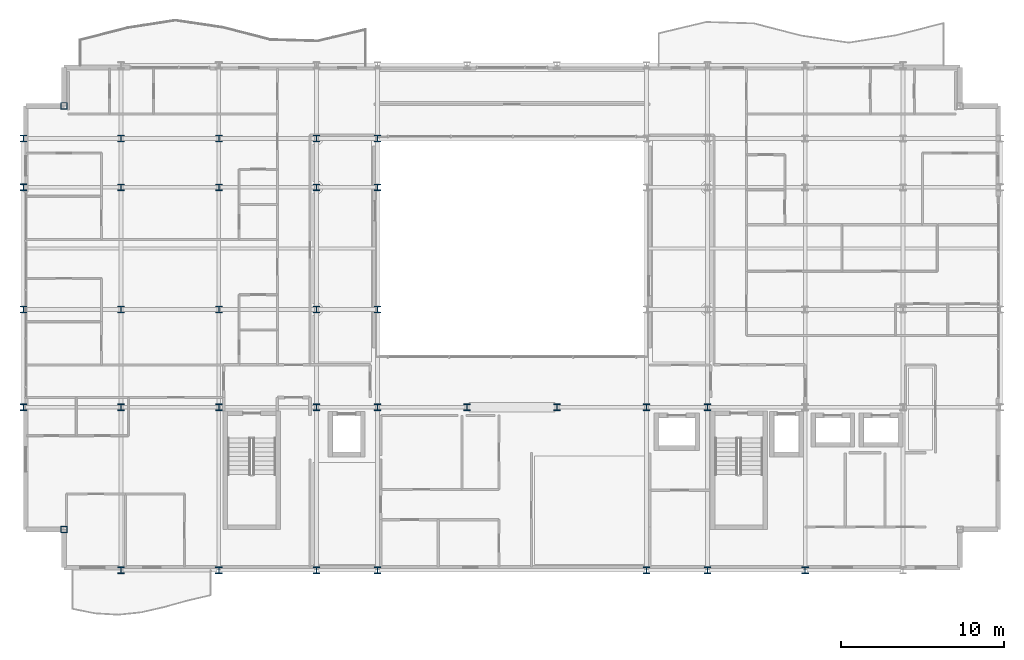
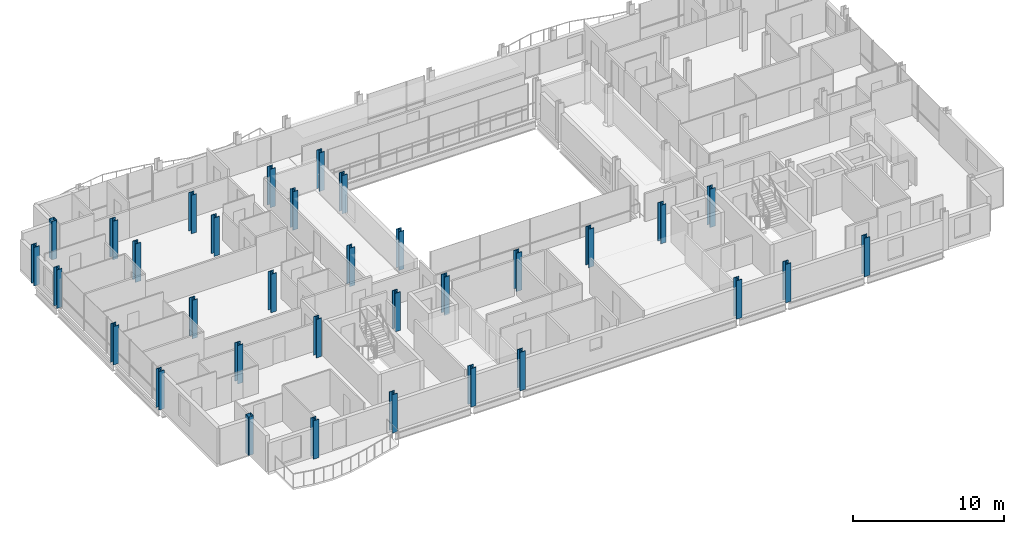
# One storey, part 1 of 41: 33 columns.
"""IFC4 building model written with IfcOpenShell, lengths in metres."""

from ifc_helpers import new_model, si_unit, direction, frame, origin, origin_2d, place, context, subcontext, project, spatial, hollow_rectangle, i_section, extrude, material, material_profile, profile_set, type_object, element, save


model = new_model("IFC4")

# Units and contexts
model_context = context("Model", 3, precision=1e-05, world=origin(), true_north=direction((0.0, 1.0)))
body_context = subcontext(model_context, "Body", "Model", "MODEL_VIEW")
ifc_project = project(units=[si_unit("LENGTHUNIT", "METRE"), si_unit("AREAUNIT", "SQUARE_METRE"), si_unit("VOLUMEUNIT", "CUBIC_METRE"), si_unit("PLANEANGLEUNIT", "RADIAN"), si_unit("MASSUNIT", "GRAM", prefix="KILO")], contexts=[model_context])

# Site, building, storey
site_placement = place(None, origin())
site = spatial("IfcSite", under=ifc_project, at=site_placement, CompositionType="ELEMENT")
building_placement = place(site_placement, origin())
building = spatial("IfcBuilding", under=site, at=building_placement, Name="Brevholm Reach", CompositionType="ELEMENT")
storey_placement = place(building_placement, frame((0.0, 0.0, 144.89990234375)))
storey = spatial("IfcBuildingStorey", under=building, at=storey_placement, Name="L43", CompositionType="ELEMENT", Elevation=144.89990234375)

# Columns
ifc_material_1 = material(Name="Structural Steel S460NH", Category="steel")
ifc_material_profile_1 = material_profile(ifc_material_1, hollow_rectangle(XDim=0.39990234375, YDim=0.39990234375, WallThickness=0.02001953125, InnerFilletRadius=0.011962890625, OuterFilletRadius=0.02392578125, at=origin_2d()), Name="SHS 400x400x20")
ifc_profile_set_1 = profile_set([ifc_material_profile_1], Name="Structural Steel S460NH")
column_type_1 = type_object("IfcColumnType", Name="COL-SHS2", PredefinedType="COLUMN", material=ifc_profile_set_1)
for number, where, z_axis, x_axis, name in (
    (1, (2.5, 2.5, 0.0), (0.0, 0.0, 1.0), (1.0, 0.0, 0.0), "L43 Column 05"),
    (2, (2.5, 28.5, 0.0), (0.0, 0.0, 1.0), (1.0, 0.0, 0.0), "L43 Column 06"),
):
    element("IfcColumn", number, at=place(storey_placement, frame(where, z_axis=z_axis, x_axis=x_axis)), inside=storey, type_object=column_type_1, Name=name, PredefinedType="COLUMN", context=body_context, shape_type="SweptSolid", body=[
        extrude(hollow_rectangle(XDim=0.39990234375, YDim=0.39990234375, WallThickness=0.02001953125, InnerFilletRadius=0.011962890625, OuterFilletRadius=0.02392578125, at=origin_2d()), origin(), (0.0, 0.0, 1.0), 3.10009765625),
    ])
ifc_material_2 = material(Name="Structural Steel S355J2", Category="steel")
ifc_material_profile_2 = material_profile(ifc_material_2, i_section(OverallWidth=0.406982421875, OverallDepth=0.4189453125, WebThickness=0.030517578125, FlangeThickness=0.04931640625, FilletRadius=0.01513671875, at=origin_2d()), Name="UKC 356x406x393")
ifc_profile_set_2 = profile_set([ifc_material_profile_2], Name="Structural Steel S355J2")
column_type_2 = type_object("IfcColumnType", Name="COL-UC4", PredefinedType="COLUMN", material=ifc_profile_set_2)
for number, where, z_axis, x_axis, name in (
    (3, (0.0, 10.0, 0.0), (0.0, 0.0, 1.0), (1.0, 0.0, 0.0), "L43 Column 01"),
    (4, (0.0, 16.0, 0.0), (0.0, 0.0, 1.0), (1.0, 0.0, 0.0), "L43 Column 02"),
    (5, (0.0, 23.5, 0.0), (0.0, 0.0, 1.0), (1.0, 0.0, 0.0), "L43 Column 03"),
    (6, (0.0, 26.5, 0.0), (0.0, 0.0, 1.0), (1.0, 0.0, 0.0), "L43 Column 04"),
    (7, (6.0, 0.0, 0.0), (0.0, 0.0, 1.0), (1.0, 0.0, 0.0), "L43 Column 07"),
    (8, (12.0, 0.0, 0.0), (0.0, 0.0, 1.0), (1.0, 0.0, 0.0), "L43 Column 13"),
    (9, (18.0, 0.0, 0.0), (0.0, 0.0, 1.0), (1.0, 0.0, 0.0), "L43 Column 19"),
    (10, (21.75, 0.0, 0.0), (0.0, 0.0, 1.0), (1.0, 0.0, 0.0), "L43 Column 25"),
    (11, (38.25, 0.0, 0.0), (0.0, 0.0, 1.0), (1.0, 0.0, 0.0), "L43 Column 35"),
    (12, (42.0, 0.0, 0.0), (0.0, 0.0, 1.0), (1.0, 0.0, 0.0), "L43 Column 41"),
    (13, (48.0, 0.0, 0.0), (0.0, 0.0, 1.0), (1.0, 0.0, 0.0), "L43 Column 47"),
):
    element("IfcColumn", number, at=place(storey_placement, frame(where, z_axis=z_axis, x_axis=x_axis)), inside=storey, type_object=column_type_2, Name=name, PredefinedType="COLUMN", context=body_context, shape_type="SweptSolid", body=[
        extrude(i_section(OverallWidth=0.406982421875, OverallDepth=0.4189453125, WebThickness=0.030517578125, FlangeThickness=0.04931640625, FilletRadius=0.01513671875, at=origin_2d()), origin(), (0.0, 0.0, 1.0), 3.10009765625),
    ])
ifc_material_3 = material(Name="Structural Steel S355J2", Category="steel")
ifc_material_profile_3 = material_profile(ifc_material_3, i_section(OverallWidth=0.403076171875, OverallDepth=0.406494140625, WebThickness=0.026611328125, FlangeThickness=0.04296875, FilletRadius=0.01513671875, at=origin_2d()), Name="UKC 356x406x340")
ifc_profile_set_3 = profile_set([ifc_material_profile_3], Name="Structural Steel S355J2")
column_type_3 = type_object("IfcColumnType", Name="COL-UC5", PredefinedType="COLUMN", material=ifc_profile_set_3)
for number, where, z_axis, x_axis, name in (
    (14, (6.0, 10.0, 0.0), (0.0, 0.0, 1.0), (1.0, 0.0, 0.0), "L43 Column 08"),
    (15, (6.0, 16.0, 0.0), (0.0, 0.0, 1.0), (1.0, 0.0, 0.0), "L43 Column 09"),
    (16, (6.0, 23.5, 0.0), (0.0, 0.0, 1.0), (1.0, 0.0, 0.0), "L43 Column 10"),
    (17, (6.0, 26.5, 0.0), (0.0, 0.0, 1.0), (1.0, 0.0, 0.0), "L43 Column 11"),
    (18, (12.0, 10.0, 0.0), (0.0, 0.0, 1.0), (1.0, 0.0, 0.0), "L43 Column 14"),
    (19, (12.0, 16.0, 0.0), (0.0, 0.0, 1.0), (1.0, 0.0, 0.0), "L43 Column 15"),
    (20, (12.0, 23.5, 0.0), (0.0, 0.0, 1.0), (1.0, 0.0, 0.0), "L43 Column 16"),
    (21, (12.0, 26.5, 0.0), (0.0, 0.0, 1.0), (1.0, 0.0, 0.0), "L43 Column 17"),
    (22, (18.0, 10.0, 0.0), (0.0, 0.0, 1.0), (1.0, 0.0, 0.0), "L43 Column 20"),
    (23, (18.0, 16.0, 0.0), (0.0, 0.0, 1.0), (1.0, 0.0, 0.0), "L43 Column 21"),
    (24, (18.0, 23.5, 0.0), (0.0, 0.0, 1.0), (1.0, 0.0, 0.0), "L43 Column 22"),
    (25, (18.0, 26.5, 0.0), (0.0, 0.0, 1.0), (1.0, 0.0, 0.0), "L43 Column 23"),
    (26, (21.75, 10.0, 0.0), (0.0, 0.0, 1.0), (1.0, 0.0, 0.0), "L43 Column 26"),
    (27, (21.75, 16.0, 0.0), (0.0, 0.0, 1.0), (1.0, 0.0, 0.0), "L43 Column 27"),
    (28, (21.75, 23.5, 0.0), (0.0, 0.0, 1.0), (1.0, 0.0, 0.0), "L43 Column 28"),
    (29, (21.75, 26.5, 0.0), (0.0, 0.0, 1.0), (1.0, 0.0, 0.0), "L43 Column 29"),
    (30, (27.25, 10.0, 0.0), (0.0, 0.0, 1.0), (1.0, 0.0, 0.0), "L43 Column 31"),
    (31, (32.75, 10.0, 0.0), (0.0, 0.0, 1.0), (1.0, 0.0, 0.0), "L43 Column 33"),
    (32, (38.25, 10.0, 0.0), (0.0, 0.0, 1.0), (1.0, 0.0, 0.0), "L43 Column 36"),
    (33, (42.0, 10.0, 0.0), (0.0, 0.0, 1.0), (1.0, 0.0, 0.0), "L43 Column 42"),
):
    element("IfcColumn", number, at=place(storey_placement, frame(where, z_axis=z_axis, x_axis=x_axis)), inside=storey, type_object=column_type_3, Name=name, PredefinedType="COLUMN", context=body_context, shape_type="SweptSolid", body=[
        extrude(i_section(OverallWidth=0.403076171875, OverallDepth=0.406494140625, WebThickness=0.026611328125, FlangeThickness=0.04296875, FilletRadius=0.01513671875, at=origin_2d()), origin(), (0.0, 0.0, 1.0), 3.10009765625),
    ])

save(model, "model.ifc")
